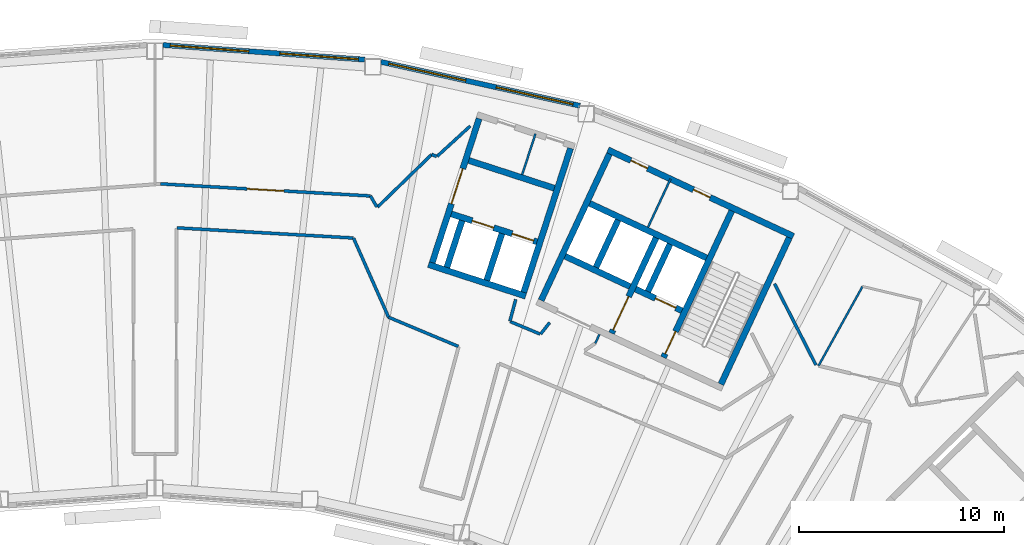
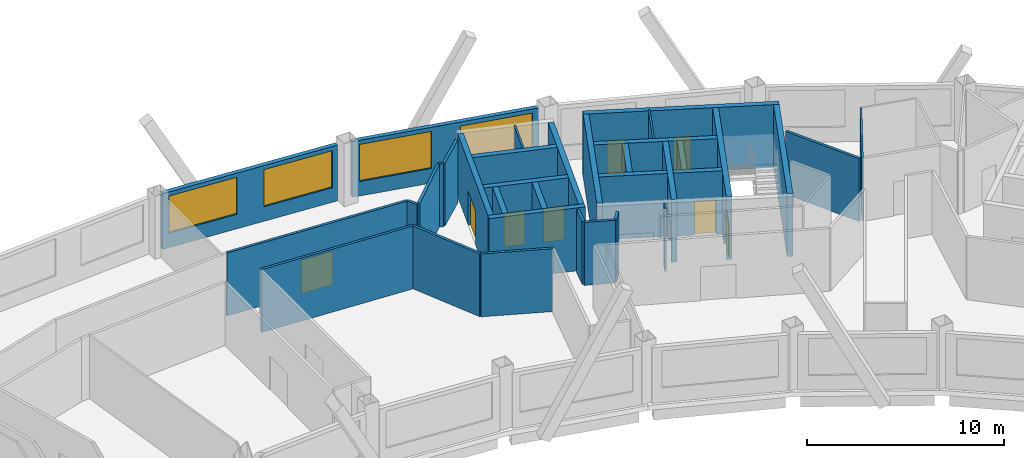
# One storey, part 9 of 13: 35 walls, 9 doors, 4 windows, 13 openings.
"""IFC4 building model written with IfcOpenShell, lengths in metres."""

import ifcopenshell
import ifcopenshell.guid

model = None  # the IFC model being written
_history = None  # IfcOwnerHistory: only IFC2X3 demands one
_inside = {}  # id of a spatial element -> (the spatial element, [elements in it])
_under = {}  # id of a project, library or spatial element -> (it, [spatial elements below it])
_declared = {}  # id of a project -> (the project, [libraries it declares])
_typed = {}  # id of a type object -> (the type object, [elements of that type])
_made_of = {}  # id of a material, layer set ... -> (it, [elements and type objects made of it])


def new_model(schema):
    """Start an empty IFC model of exactly this schema.

    Asked for "IFC4X3", IfcOpenShell would pick the latest addendum, in which some entities
    have other attributes; the version numbers below select the first issue.
    IFC2X3 requires an IfcOwnerHistory on every rooted entity: one is made here for all.
    """
    global model, _history
    if schema == "IFC4X3":
        model = ifcopenshell.file(schema_version=(4, 3, 0, 0))
    else:
        model = ifcopenshell.file(schema=schema)
    _inside.clear()
    _under.clear()
    _declared.clear()
    _typed.clear()
    _made_of.clear()
    _history = None
    if model.schema == "IFC2X3":
        org = make("IfcOrganization", Name="unknown")
        user = make(
            "IfcPersonAndOrganization",
            ThePerson=make("IfcPerson", FamilyName="unknown"),
            TheOrganization=org,
        )
        app = make(
            "IfcApplication",
            ApplicationDeveloper=org,
            Version="unknown",
            ApplicationFullName="unknown",
            ApplicationIdentifier="unknown",
        )
        _history = make(
            "IfcOwnerHistory",
            OwningUser=user,
            OwningApplication=app,
            ChangeAction="ADDED",
            CreationDate=0,
        )
    return model


def make(cls, **values):
    """One entity of the class cls with the attributes given. An attribute that is None is left unset."""
    return model.create_entity(
        cls, **{name: value for name, value in values.items() if value is not None}
    )


def rooted(cls, **values):
    """An entity with a GlobalId (a new one), such as an element, a storey or a relation."""
    return make(cls, GlobalId=ifcopenshell.guid.new(), OwnerHistory=_history, **values)


def si_unit(unit_type, name, prefix=None):
    """IfcSIUnit, for example si_unit("LENGTHUNIT", "METRE", prefix="MILLI")."""
    return make("IfcSIUnit", UnitType=unit_type, Prefix=prefix, Name=name)


def assignment(units):
    """IfcUnitAssignment: the units of a project."""
    return None if units is None else make("IfcUnitAssignment", Units=units)


def point(xyz):
    """IfcCartesianPoint."""
    return None if xyz is None else make("IfcCartesianPoint", Coordinates=xyz)


def direction(xyz):
    """IfcDirection."""
    return None if xyz is None else make("IfcDirection", DirectionRatios=xyz)


def frame(location, z_axis=None, x_axis=None):
    """IfcAxis2Placement3D, a coordinate frame: its origin and axes. An axis left out is left unset."""
    return make(
        "IfcAxis2Placement3D",
        Location=point(location),
        Axis=direction(z_axis),
        RefDirection=direction(x_axis),
    )


def frame_2d(location, x_axis=None):
    """IfcAxis2Placement2D, a coordinate frame in the plane: its origin and x axis."""
    return make(
        "IfcAxis2Placement2D", Location=point(location), RefDirection=direction(x_axis)
    )


def origin():
    """The frame at (0, 0, 0) with its axes left unset."""
    return frame((0.0, 0.0, 0.0))


def place(relative_to, where):
    """IfcLocalPlacement: puts the frame where relative to a parent placement (None: the world)."""
    return make(
        "IfcLocalPlacement", PlacementRelTo=relative_to, RelativePlacement=where
    )


def context(
    kind, dimensions, precision=None, world=None, true_north=None, identifier=None
):
    """IfcGeometricRepresentationContext, for example the 3D "Model" context."""
    return make(
        "IfcGeometricRepresentationContext",
        ContextIdentifier=identifier,
        ContextType=kind,
        CoordinateSpaceDimension=dimensions,
        Precision=precision,
        WorldCoordinateSystem=world,
        TrueNorth=true_north,
    )


def subcontext(parent, identifier, kind, view, scale=None):
    """IfcGeometricRepresentationSubContext, for example "Body" below "Model"."""
    return make(
        "IfcGeometricRepresentationSubContext",
        ContextIdentifier=identifier,
        ContextType=kind,
        ParentContext=parent,
        TargetScale=scale,
        TargetView=view,
    )


def project(units=None, contexts=None):
    """IfcProject with its units and contexts."""
    return rooted(
        "IfcProject",
        Name="project",
        RepresentationContexts=contexts,
        UnitsInContext=assignment(units),
    )


def spatial(cls, under=None, at=None, **own):
    """A site, building, storey or space (cls), placed at a placement, below another one or the project."""
    s = rooted(cls, ObjectPlacement=at, **own)
    if under is not None:
        _under.setdefault(under.id(), (under, []))[1].append(s)
    return s


def profile(cls, at=None, kind="AREA", **sizes):
    """A parametric profile (cls). Its sizes go by their IFC names, for example OverallWidth=200.0."""
    return make(cls, ProfileType=kind, Position=at, **sizes)


def rectangle(**sizes):
    """IfcRectangleProfileDef."""
    return profile("IfcRectangleProfileDef", **sizes)


def extrude(swept, where, along, depth):
    """IfcExtrudedAreaSolid: the profile swept, set in the frame where, extruded along a direction by depth."""
    return make(
        "IfcExtrudedAreaSolid",
        SweptArea=swept,
        Position=where,
        ExtrudedDirection=direction(along),
        Depth=depth,
    )


def shape(context_of_items, identifier, shape_type, items):
    """IfcShapeRepresentation: the items that make up one representation, for example the "Body"."""
    return make(
        "IfcShapeRepresentation",
        ContextOfItems=context_of_items,
        RepresentationIdentifier=identifier,
        RepresentationType=shape_type,
        Items=items,
    )


def material(Name=None, Category=None):
    """IfcMaterial."""
    return make("IfcMaterial", Name=Name, Category=Category)


def layer(
    of_material, thickness, ventilated=None, Name=None, Category=None, Priority=None
):
    """IfcMaterialLayer: one layer of a wall or slab, of a material (None: an air gap)."""
    return make(
        "IfcMaterialLayer",
        Material=of_material,
        LayerThickness=thickness,
        IsVentilated=ventilated,
        Name=Name,
        Category=Category,
        Priority=Priority,
    )


def layer_set(layers, Name=None):
    """IfcMaterialLayerSet."""
    return make("IfcMaterialLayerSet", MaterialLayers=layers, LayerSetName=Name)


def made_of(thing, what):
    """Note that an element or type object is made of a material, layer set ...; save() writes the relation."""
    if what is not None:
        _made_of.setdefault(what.id(), (what, []))[1].append(thing)
    return thing


def type_object(cls, material=None, **own):
    """A type object (cls), such as IfcWallType, which elements share."""
    return made_of(rooted(cls, **own), material)


def element(
    cls,
    number,
    at=None,
    inside=None,
    cuts=None,
    type_object=None,
    material=None,
    context=None,
    identifier="Body",
    shape_type=None,
    held_by="IfcProductDefinitionShape",
    body=None,
    shapes=None,
    **own,
):
    """One element of the class cls, such as IfcWall. Its Tag is "e" and its number.

    at: its placement. inside: the storey or other place that contains it. cuts: it is an
    opening in that element (IfcRelVoidsElement). A single representation is given by context,
    identifier, shape_type and body (its items); several are given by shapes. held_by: the class
    of the entity that holds the representations. save() writes the other relations.
    """
    e = rooted(cls, Tag="e%d" % number, ObjectPlacement=at, **own)
    if body is not None:
        shapes = [shape(context, identifier, shape_type, body)]
    if shapes is not None:
        e.Representation = make(held_by, Representations=shapes)
    if inside is not None:
        _inside.setdefault(inside.id(), (inside, []))[1].append(e)
    if cuts is not None:
        rooted(
            "IfcRelVoidsElement", RelatingBuildingElement=cuts, RelatedOpeningElement=e
        )
    if type_object is not None:
        _typed.setdefault(type_object.id(), (type_object, []))[1].append(e)
    return made_of(e, material)


def fill(opening, filler):
    """IfcRelFillsElement: the door or window that sits in an opening."""
    return rooted(
        "IfcRelFillsElement",
        RelatingOpeningElement=opening,
        RelatedBuildingElement=filler,
    )


def aggregate(whole, parts):
    """IfcRelAggregates: a whole, such as a stair, and the parts it consists of."""
    return rooted("IfcRelAggregates", RelatingObject=whole, RelatedObjects=parts)


def save(model, path):
    """Write the relations noted so far, then the file.

    IfcRelAggregates (storeys below a building ...), IfcRelContainedInSpatialStructure (elements
    in a storey), IfcRelDefinesByType, IfcRelAssociatesMaterial and IfcRelDeclares: one each for
    every whole, place, type object, material and project.
    """
    for whole, parts in _under.values():
        aggregate(whole, parts)
    for where, things in _inside.values():
        rooted(
            "IfcRelContainedInSpatialStructure",
            RelatedElements=things,
            RelatingStructure=where,
        )
    for kind, things in _typed.values():
        rooted("IfcRelDefinesByType", RelatedObjects=things, RelatingType=kind)
    for what, things in _made_of.values():
        rooted("IfcRelAssociatesMaterial", RelatedObjects=things, RelatingMaterial=what)
    for by, libraries in _declared.values():
        rooted("IfcRelDeclares", RelatingContext=by, RelatedDefinitions=libraries)
    model.write(path)


model = new_model("IFC4")

# Units and contexts
model_context = context("Model", 3, precision=1e-05, world=origin(), true_north=direction((0.0, 1.0)))
body_context = subcontext(model_context, "Body", "Model", "MODEL_VIEW")
ifc_project = project(units=[si_unit("LENGTHUNIT", "METRE"), si_unit("AREAUNIT", "SQUARE_METRE"), si_unit("VOLUMEUNIT", "CUBIC_METRE"), si_unit("PLANEANGLEUNIT", "RADIAN"), si_unit("MASSUNIT", "GRAM", prefix="KILO")], contexts=[model_context])

# Site, building, storey
site_placement = place(None, origin())
site = spatial("IfcSite", under=ifc_project, at=site_placement, CompositionType="ELEMENT")
building_placement = place(site_placement, origin())
building = spatial("IfcBuilding", under=site, at=building_placement, Name="Tuul Gate Civic Tower", CompositionType="ELEMENT")
storey_placement = place(building_placement, frame((0.0, 0.0, 302.60009765625)))
storey = spatial("IfcBuildingStorey", under=building, at=storey_placement, Name="Level 68", CompositionType="ELEMENT", Elevation=302.60009765625)

# Wall, opening, door
ifc_material_1 = material(Name="Concrete C50/60", Category="concrete")
ifc_layer_1 = layer(ifc_material_1, 0.300048828125)
ifc_layer_set_1 = layer_set([ifc_layer_1], Name="Concrete C50/60")
wall_type_1 = type_object("IfcWallType", Name="Core wall C50/60", PredefinedType="SHEAR", material=ifc_layer_set_1)
wall_1_placement = place(storey_placement, frame((32.545654296875, -3.456787109375, 0.0), z_axis=(0.0, 0.0, 1.0), x_axis=(-0.906300357825, 0.42263419337, 0.0)))
wall_1 = element("IfcWall", 1, at=wall_1_placement, inside=storey, type_object=wall_type_1, Name="Core wall", PredefinedType="SHEAR", context=body_context, shape_type="SweptSolid", body=[
    extrude(rectangle(XDim=2.500244140625, YDim=0.300048828125, at=frame_2d((1.25, 0.0))), origin(), (0.0, 0.0, 1.0), 3.89990234375),
])
opening_1_placement = place(wall_1_placement, frame((0.324951171875, 0.0, 0.0)))
opening_1 = element("IfcOpeningElement", 2, at=opening_1_placement, cuts=wall_1, Name="Opening LD-FF-2", PredefinedType="OPENING", context=body_context, shape_type="SweptSolid", body=[
    extrude(rectangle(XDim=1.10009765625, YDim=2.10009765625, at=frame_2d((0.550048828125, 1.050048828125))), frame((0.0, 0.16015625, 0.0), z_axis=(0.0, -1.0, 0.0), x_axis=(1.0, 0.0, 0.0)), (0.0, 0.0, 1.0), 0.320068359375),
])
ifc_material_2 = material(Name="Stainless steel", Category="steel")
door_type_1 = type_object("IfcDoorType", Name="Landing door", OperationType="DOUBLE_DOOR_SLIDING", PredefinedType="DOOR", material=ifc_material_2)
door_1_placement = place(opening_1_placement, origin())
door_1 = element("IfcDoor", 3, at=door_1_placement, inside=storey, type_object=door_type_1, Name="Fire-fighting lift FF-2 landing door", OperationType="DOUBLE_DOOR_SLIDING", OverallHeight=2.10009765625, OverallWidth=1.10009765625, PredefinedType="DOOR", context=body_context, shape_type="SweptSolid", body=[
    extrude(rectangle(XDim=1.10009765625, YDim=2.10009765625, at=frame_2d((0.550048828125, 1.050048828125))), frame((0.0, 0.02490234375, 0.0), z_axis=(0.0, -1.0, 0.0), x_axis=(1.0, 0.0, 0.0)), (0.0, 0.0, 1.0), 0.050048828125),
])
fill(opening_1, door_1)

# Walls
wall_2_placement = place(storey_placement, frame((30.0078125, -2.2734375, 0.0), z_axis=(0.0, 0.0, 1.0), x_axis=(-0.90630071767, 0.422633421716, 0.0)))
element("IfcWall", 4, at=wall_2_placement, inside=storey, type_object=wall_type_1, Name="Core wall", PredefinedType="SHEAR", context=body_context, shape_type="SweptSolid", body=[
    extrude(rectangle(XDim=3.5, YDim=0.300048828125, at=frame_2d((1.75, 0.0))), origin(), (0.0, 0.0, 1.0), 3.89990234375),
])
wall_3_placement = place(storey_placement, frame((33.75, -0.873779296875, 0.0), z_axis=(0.0, 0.0, 1.0), x_axis=(-0.906300917592, 0.422632992999, 0.0)))
element("IfcWall", 5, at=wall_3_placement, inside=storey, type_object=wall_type_1, Name="Core wall", PredefinedType="SHEAR", context=body_context, shape_type="SweptSolid", body=[
    extrude(rectangle(XDim=6.300048828125, YDim=0.300048828125, at=frame_2d((3.14990234375, 0.0))), origin(), (0.0, 0.0, 1.0), 3.89990234375),
])

# Wall, openings, doors
wall_4_placement = place(storey_placement, frame((37.993408203125, 0.181884765625, 0.0), z_axis=(0.0, 0.0, 1.0), x_axis=(-0.906310338845, 0.422612789327, 0.0)))
wall_4 = element("IfcWall", 6, at=wall_4_placement, inside=storey, type_object=wall_type_1, Name="Core wall", PredefinedType="SHEAR", context=body_context, shape_type="SweptSolid", body=[
    extrude(rectangle(XDim=9.999755859375, YDim=0.300048828125, at=frame_2d((5.0, 0.0))), origin(), (0.0, 0.0, 1.0), 3.89990234375),
])
opening_2_placement = place(wall_4_placement, frame((4.487548828125, 0.0, 0.0)))
opening_2 = element("IfcOpeningElement", 7, at=opening_2_placement, cuts=wall_4, Name="Opening Y-D19", PredefinedType="OPENING", context=body_context, shape_type="SweptSolid", body=[
    extrude(rectangle(XDim=0.89990234375, YDim=2.10009765625, at=frame_2d((0.449951171875, 1.050048828125))), frame((0.0, 0.16015625, 0.0), z_axis=(0.0, -1.0, 0.0), x_axis=(1.0, 0.0, 0.0)), (0.0, 0.0, 1.0), 0.320068359375),
])
opening_3_placement = place(wall_4_placement, frame((7.862548828125, 0.0, 0.0)))
opening_3 = element("IfcOpeningElement", 8, at=opening_3_placement, cuts=wall_4, Name="Opening Y-D20", PredefinedType="OPENING", context=body_context, shape_type="SweptSolid", body=[
    extrude(rectangle(XDim=0.89990234375, YDim=2.10009765625, at=frame_2d((0.449951171875, 1.050048828125))), frame((0.0, 0.16015625, 0.0), z_axis=(0.0, -1.0, 0.0), x_axis=(1.0, 0.0, 0.0)), (0.0, 0.0, 1.0), 0.320068359375),
])
ifc_material_3 = material(Name="Timber door leaf", Category="wood")
door_type_2 = type_object("IfcDoorType", Name="Door D09", OperationType="NOTDEFINED", PredefinedType="DOOR", material=ifc_material_3)
door_2_placement = place(opening_2_placement, origin())
door_2 = element("IfcDoor", 9, at=door_2_placement, inside=storey, type_object=door_type_2, Name="Door Y-D19", OperationType="SINGLE_SWING_LEFT", OverallHeight=2.10009765625, OverallWidth=0.89990234375, PredefinedType="DOOR", context=body_context, shape_type="SweptSolid", body=[
    extrude(rectangle(XDim=0.89990234375, YDim=2.10009765625, at=frame_2d((0.449951171875, 1.050048828125))), frame((0.0, 0.02490234375, 0.0), z_axis=(0.0, -1.0, 0.0), x_axis=(1.0, 0.0, 0.0)), (0.0, 0.0, 1.0), 0.050048828125),
])
fill(opening_2, door_2)
door_3_placement = place(opening_3_placement, origin())
door_3 = element("IfcDoor", 10, at=door_3_placement, inside=storey, type_object=door_type_2, Name="Door Y-D20", OperationType="SINGLE_SWING_RIGHT", OverallHeight=2.10009765625, OverallWidth=0.89990234375, PredefinedType="DOOR", context=body_context, shape_type="SweptSolid", body=[
    extrude(rectangle(XDim=0.89990234375, YDim=2.10009765625, at=frame_2d((0.449951171875, 1.050048828125))), frame((0.0, 0.02490234375, 0.0), z_axis=(0.0, -1.0, 0.0), x_axis=(1.0, 0.0, 0.0)), (0.0, 0.0, 1.0), 0.050048828125),
])
fill(opening_3, door_3)

# Wall
wall_5_placement = place(storey_placement, frame((34.455810546875, -7.05078125, 0.0), z_axis=(0.0, 0.0, 1.0), x_axis=(0.422570768258, 0.906329932096, 0.0)))
element("IfcWall", 11, at=wall_5_placement, inside=storey, type_object=wall_type_1, Name="Core wall", PredefinedType="SHEAR", context=body_context, shape_type="SweptSolid", body=[
    extrude(rectangle(XDim=7.900146484375, YDim=0.300048828125, at=frame_2d((3.9501953125, 0.0))), origin(), (0.0, 0.0, 1.0), 3.89990234375),
])

# Wall, opening, door
wall_6_placement = place(storey_placement, frame((31.646240234375, -5.740478515625, 0.0), z_axis=(0.0, 0.0, 1.0), x_axis=(0.422582604137, 0.906324413596, 0.0)))
wall_6 = element("IfcWall", 12, at=wall_6_placement, inside=storey, type_object=wall_type_1, Name="Core wall", PredefinedType="SHEAR", context=body_context, shape_type="SweptSolid", body=[
    extrude(rectangle(XDim=7.89990234375, YDim=0.300048828125, at=frame_2d((3.949951171875, 0.0))), origin(), (0.0, 0.0, 1.0), 3.89990234375),
])
opening_4_placement = place(wall_6_placement, frame((0.199951171875, 0.0, 0.0)))
opening_4 = element("IfcOpeningElement", 13, at=opening_4_placement, cuts=wall_6, Name="Opening SD-ST-4", PredefinedType="OPENING", context=body_context, shape_type="SweptSolid", body=[
    extrude(rectangle(XDim=1.199951171875, YDim=2.10009765625, at=frame_2d((0.60009765625, 1.050048828125))), frame((0.0, 0.16015625, 0.0), z_axis=(0.0, -1.0, 0.0), x_axis=(1.0, 0.0, 0.0)), (0.0, 0.0, 1.0), 0.320068359375),
])
ifc_material_4 = material(Name="Steel", Category="steel")
door_type_3 = type_object("IfcDoorType", Name="Stair door", OperationType="NOTDEFINED", PredefinedType="DOOR", material=ifc_material_4)
door_4_placement = place(opening_4_placement, origin())
door_4 = element("IfcDoor", 14, at=door_4_placement, inside=storey, type_object=door_type_3, Name="Stair door ST-4", OperationType="SINGLE_SWING_LEFT", OverallHeight=2.10009765625, OverallWidth=1.199951171875, PredefinedType="DOOR", context=body_context, shape_type="SweptSolid", body=[
    extrude(rectangle(XDim=1.199951171875, YDim=2.10009765625, at=frame_2d((0.60009765625, 1.050048828125))), frame((0.0, 0.02490234375, 0.0), z_axis=(0.0, -1.0, 0.0), x_axis=(1.0, 0.0, 0.0)), (0.0, 0.0, 1.0), 0.050048828125),
])
fill(opening_4, door_4)

# Wall
wall_7_placement = place(storey_placement, frame((30.886962890625, -2.517822265625, 0.0), z_axis=(0.0, 0.0, 1.0), x_axis=(0.422612891016, 0.906310291427, 0.0)))
element("IfcWall", 15, at=wall_7_placement, inside=storey, type_object=wall_type_1, Name="Core wall", PredefinedType="SHEAR", context=body_context, shape_type="SweptSolid", body=[
    extrude(rectangle(XDim=2.550048828125, YDim=0.300048828125, at=frame_2d((1.27490234375, 0.0))), origin(), (0.0, 0.0, 1.0), 3.89990234375),
])

# Wall, opening, door
wall_8_placement = place(storey_placement, frame((29.108642578125, -4.557373046875, 0.0), z_axis=(0.0, 0.0, 1.0), x_axis=(0.422566235356, 0.90633204552, 0.0)))
wall_8 = element("IfcWall", 16, at=wall_8_placement, inside=storey, type_object=wall_type_1, Name="Core wall", PredefinedType="SHEAR", context=body_context, shape_type="SweptSolid", body=[
    extrude(rectangle(XDim=5.150146484375, YDim=0.300048828125, at=frame_2d((2.5751953125, 0.0))), origin(), (0.0, 0.0, 1.0), 3.89990234375),
])
opening_5_placement = place(wall_8_placement, frame((0.175048828125, 0.0, 0.0)))
opening_5 = element("IfcOpeningElement", 17, at=opening_5_placement, cuts=wall_8, Name="Opening LB-E3-FLOBBY-1", PredefinedType="OPENING", context=body_context, shape_type="SweptSolid", body=[
    extrude(rectangle(XDim=1.800048828125, YDim=2.10009765625, at=frame_2d((0.89990234375, 1.050048828125))), frame((0.0, 0.16015625, 0.0), z_axis=(0.0, -1.0, 0.0), x_axis=(1.0, 0.0, 0.0)), (0.0, 0.0, 1.0), 0.320068359375),
])
ifc_material_5 = material(Name="Steel", Category="steel")
door_type_4 = type_object("IfcDoorType", Name="Lobby door", OperationType="DOUBLE_DOOR_SINGLE_SWING", PredefinedType="DOOR", material=ifc_material_5)
door_5_placement = place(opening_5_placement, frame((1.800048828125, 0.0, 0.0), z_axis=(0.0, 0.0, 1.0), x_axis=(-1.0, 0.0, 0.0)))
door_5 = element("IfcDoor", 18, at=door_5_placement, inside=storey, type_object=door_type_4, Name="Lobby door E3-FLOBBY", OperationType="DOUBLE_DOOR_SINGLE_SWING", OverallHeight=2.10009765625, OverallWidth=1.800048828125, PredefinedType="DOOR", context=body_context, shape_type="SweptSolid", body=[
    extrude(rectangle(XDim=1.800048828125, YDim=2.10009765625, at=frame_2d((0.900146484375, 1.050048828125))), frame((0.0, 0.02490234375, 0.0), z_axis=(0.0, -1.0, 0.0), x_axis=(1.0, 0.0, 0.0)), (0.0, 0.0, 1.0), 0.050048828125),
])
fill(opening_5, door_5)

# Walls
wall_9_placement = place(storey_placement, frame((28.349365234375, -1.33447265625, 0.0), z_axis=(0.0, 0.0, 1.0), x_axis=(0.422612891016, 0.906310291427, 0.0)))
element("IfcWall", 19, at=wall_9_placement, inside=storey, type_object=wall_type_1, Name="Core wall", PredefinedType="SHEAR", context=body_context, shape_type="SweptSolid", body=[
    extrude(rectangle(XDim=2.550048828125, YDim=0.300048828125, at=frame_2d((1.27490234375, 0.0))), origin(), (0.0, 0.0, 1.0), 3.89990234375),
])
wall_10_placement = place(storey_placement, frame((25.66455078125, -2.951416015625, 0.0), z_axis=(0.0, 0.0, 1.0), x_axis=(0.422582604137, 0.906324413596, 0.0)))
element("IfcWall", 20, at=wall_10_placement, inside=storey, type_object=wall_type_1, Name="Core wall", PredefinedType="SHEAR", context=body_context, shape_type="SweptSolid", body=[
    extrude(rectangle(XDim=7.89990234375, YDim=0.300048828125, at=frame_2d((3.949951171875, 0.0))), origin(), (0.0, 0.0, 1.0), 3.89990234375),
])
ifc_material_6 = material(Name="Gypsum board partition")
ifc_layer_2 = layer(ifc_material_6, 0.14990234375)
ifc_layer_set_2 = layer_set([ifc_layer_2], Name="Gypsum board partition")
wall_type_2 = type_object("IfcWallType", Name="Corridor wall P150", PredefinedType="PARTITIONING", material=ifc_layer_set_2)
wall_11_placement = place(storey_placement, frame((37.075439453125, -2.14208984375, 0.0), z_axis=(0.0, 0.0, 1.0), x_axis=(0.453959474971, -0.891022331417, 0.0)))
element("IfcWall", 21, at=wall_11_placement, inside=storey, type_object=wall_type_2, Name="p022", PredefinedType="PARTITIONING", context=body_context, shape_type="SweptSolid", body=[
    extrude(rectangle(XDim=4.4501953125, YDim=0.14990234375, at=frame_2d((2.22509765625, 0.0))), origin(), (0.0, 0.0, 1.0), 3.89990234375),
])
wall_12_placement = place(storey_placement, frame((25.64404296875, -4.59423828125, 0.0), z_axis=(0.0, 0.0, 1.0), x_axis=(0.619199282054, 0.785233881785, 0.0)))
element("IfcWall", 22, at=wall_12_placement, inside=storey, type_object=wall_type_2, Name="p023", PredefinedType="PARTITIONING", context=body_context, shape_type="SweptSolid", body=[
    extrude(rectangle(XDim=0.711669921875, YDim=0.14990234375, at=frame_2d((0.35595703125, 0.0))), origin(), (0.0, 0.0, 1.0), 3.89990234375),
])
wall_13_placement = place(storey_placement, frame((24.15283203125, -3.986572265625, 0.0), z_axis=(0.0, 0.0, 1.0), x_axis=(0.922499435941, -0.385998433532, 0.0)))
element("IfcWall", 23, at=wall_13_placement, inside=storey, type_object=wall_type_2, Name="p024", PredefinedType="PARTITIONING", context=body_context, shape_type="SweptSolid", body=[
    extrude(rectangle(XDim=1.59130859375, YDim=0.14990234375, at=frame_2d((0.795654296875, 0.0))), origin(), (0.0, 0.0, 1.0), 3.89990234375),
])
wall_14_placement = place(storey_placement, frame((24.140625, -3.963623046875, 0.0), z_axis=(0.0, 0.0, 1.0), x_axis=(0.258050314511, 0.966131479241, 0.0)))
element("IfcWall", 24, at=wall_14_placement, inside=storey, type_object=wall_type_2, Name="p027", PredefinedType="PARTITIONING", context=body_context, shape_type="SweptSolid", body=[
    extrude(rectangle(XDim=1.097412109375, YDim=0.14990234375, at=frame_2d((0.548828125, 0.0))), origin(), (0.0, 0.0, 1.0), 3.89990234375),
])
wall_15_placement = place(storey_placement, frame((20.5771484375, 4.085205078125, 0.0), z_axis=(0.0, 0.0, 1.0), x_axis=(0.738095276919, 0.674696496352, 0.0)))
element("IfcWall", 25, at=wall_15_placement, inside=storey, type_object=wall_type_2, Name="p028", PredefinedType="PARTITIONING", context=body_context, shape_type="SweptSolid", body=[
    extrude(rectangle(XDim=2.195068359375, YDim=0.14990234375, at=frame_2d((1.09765625, 0.0))), origin(), (0.0, 0.0, 1.0), 3.89990234375),
])
wall_16_placement = place(storey_placement, frame((20.3173828125, 4.1796875, 0.0), z_axis=(0.0, 0.0, 1.0), x_axis=(0.928476690885, -0.371390676354, 0.0)))
element("IfcWall", 26, at=wall_16_placement, inside=storey, type_object=wall_type_2, Name="p029", PredefinedType="PARTITIONING", context=body_context, shape_type="SweptSolid", body=[
    extrude(rectangle(XDim=0.26025390625, YDim=0.14990234375, at=frame_2d((0.130126953125, 0.0))), origin(), (0.0, 0.0, 1.0), 3.89990234375),
])
wall_17_placement = place(storey_placement, frame((17.670166015625, 1.610595703125, 0.0), z_axis=(0.0, 0.0, 1.0), x_axis=(0.717616685687, 0.696438290463, 0.0)))
element("IfcWall", 27, at=wall_17_placement, inside=storey, type_object=wall_type_2, Name="p030", PredefinedType="PARTITIONING", context=body_context, shape_type="SweptSolid", body=[
    extrude(rectangle(XDim=3.68896484375, YDim=0.14990234375, at=frame_2d((1.844482421875, 0.0))), origin(), (0.0, 0.0, 1.0), 3.89990234375),
])
wall_18_placement = place(storey_placement, frame((17.321533203125, 2.152587890625, 0.0), z_axis=(0.0, 0.0, 1.0), x_axis=(0.507806382702, -0.861471228589, 0.0)))
element("IfcWall", 28, at=wall_18_placement, inside=storey, type_object=wall_type_2, Name="p031", PredefinedType="PARTITIONING", context=body_context, shape_type="SweptSolid", body=[
    extrude(rectangle(XDim=0.6240234375, YDim=0.14990234375, at=frame_2d((0.31201171875, 0.0))), origin(), (0.0, 0.0, 1.0), 3.89990234375),
])

# Wall, opening, door
wall_19_placement = place(storey_placement, frame((7.068115234375, 2.7431640625, 0.0), z_axis=(0.0, 0.0, 1.0), x_axis=(0.998345352169, -0.057502676482, 0.0)))
wall_19 = element("IfcWall", 29, at=wall_19_placement, inside=storey, type_object=wall_type_2, Name="p032", PredefinedType="PARTITIONING", context=body_context, shape_type="SweptSolid", body=[
    extrude(rectangle(XDim=10.2705078125, YDim=0.14990234375, at=frame_2d((5.13525390625, 0.0))), origin(), (0.0, 0.0, 1.0), 3.89990234375),
])
opening_6_placement = place(wall_19_placement, frame((4.235107421875, 0.0, 0.0)))
opening_6 = element("IfcOpeningElement", 30, at=opening_6_placement, cuts=wall_19, Name="Opening Y-D04", PredefinedType="OPENING", context=body_context, shape_type="SweptSolid", body=[
    extrude(rectangle(XDim=1.800048828125, YDim=2.10009765625, at=frame_2d((0.89990234375, 1.050048828125))), frame((0.0, 0.0849609375, 0.0), z_axis=(0.0, -1.0, 0.0), x_axis=(1.0, 0.0, 0.0)), (0.0, 0.0, 1.0), 0.169921875),
])
ifc_material_7 = material(Name="Timber door leaf, double", Category="wood")
door_type_5 = type_object("IfcDoorType", Name="Door D18", OperationType="DOUBLE_DOOR_SINGLE_SWING", PredefinedType="DOOR", material=ifc_material_7)
door_6_placement = place(opening_6_placement, origin())
door_6 = element("IfcDoor", 31, at=door_6_placement, inside=storey, type_object=door_type_5, Name="Door Y-D04", OperationType="DOUBLE_DOOR_SINGLE_SWING", OverallHeight=2.10009765625, OverallWidth=1.800048828125, PredefinedType="DOOR", context=body_context, shape_type="SweptSolid", body=[
    extrude(rectangle(XDim=1.800048828125, YDim=2.10009765625, at=frame_2d((0.89990234375, 1.050048828125))), frame((0.0, 0.02490234375, 0.0), z_axis=(0.0, -1.0, 0.0), x_axis=(1.0, 0.0, 0.0)), (0.0, 0.0, 1.0), 0.050048828125),
])
fill(opening_6, door_6)

# Walls
wall_20_placement = place(storey_placement, frame((18.20849609375, -3.77490234375, 0.0), z_axis=(0.0, 0.0, 1.0), x_axis=(0.922448104273, -0.386121088421, 0.0)))
element("IfcWall", 32, at=wall_20_placement, inside=storey, type_object=wall_type_2, Name="p053", PredefinedType="PARTITIONING", context=body_context, shape_type="SweptSolid", body=[
    extrude(rectangle(XDim=3.694580078125, YDim=0.14990234375, at=frame_2d((1.84716796875, 0.0))), origin(), (0.0, 0.0, 1.0), 3.89990234375),
])
wall_21_placement = place(storey_placement, frame((7.85986328125, 0.593994140625, 0.0), z_axis=(0.0, 0.0, 1.0), x_axis=(0.998344815666, -0.057511990344, 0.0)))
element("IfcWall", 33, at=wall_21_placement, inside=storey, type_object=wall_type_2, Name="p062", PredefinedType="PARTITIONING", context=body_context, shape_type="SweptSolid", body=[
    extrude(rectangle(XDim=8.634521484375, YDim=0.14990234375, at=frame_2d((4.3173828125, 0.0))), origin(), (0.0, 0.0, 1.0), 3.89990234375),
])
wall_22_placement = place(storey_placement, frame((16.497802734375, 0.085205078125, 0.0), z_axis=(0.0, 0.0, 1.0), x_axis=(0.405167164642, -0.914242620258, 0.0)))
element("IfcWall", 34, at=wall_22_placement, inside=storey, type_object=wall_type_2, Name="p063", PredefinedType="PARTITIONING", context=body_context, shape_type="SweptSolid", body=[
    extrude(rectangle(XDim=4.22216796875, YDim=0.14990234375, at=frame_2d((2.111083984375, 0.0))), origin(), (0.0, 0.0, 1.0), 3.89990234375),
])

# Wall, openings, windows
ifc_material_8 = material(Name="Precast concrete C40/50", Category="concrete")
ifc_layer_3 = layer(ifc_material_8, 0.25)
ifc_layer_set_3 = layer_set([ifc_layer_3], Name="Precast concrete C40/50")
wall_type_3 = type_object("IfcWallType", Name="External wall", PredefinedType="STANDARD", material=ifc_layer_set_3)
wall_23_placement = place(storey_placement, frame((27.56201171875, 6.56201171875, 0.0), z_axis=(0.0, 0.0, 1.0), x_axis=(-0.976565167079, 0.215221919071, 0.0)))
wall_23 = element("IfcWall", 35, at=wall_23_placement, inside=storey, type_object=wall_type_3, Name="External wall", PredefinedType="STANDARD", context=body_context, shape_type="SweptSolid", body=[
    extrude(rectangle(XDim=9.95751953125, YDim=0.25, at=frame_2d((4.978759765625, 0.0))), origin(), (0.0, 0.0, 1.0), 3.449951171875),
])
opening_7_placement = place(wall_23_placement, frame((0.3466796875, 0.0, 0.89990234375)))
opening_7 = element("IfcOpeningElement", 36, at=opening_7_placement, cuts=wall_23, Name="Opening W22", PredefinedType="OPENING", context=body_context, shape_type="SweptSolid", body=[
    extrude(rectangle(XDim=3.85009765625, YDim=2.300048828125, at=frame_2d((1.925048828125, 1.14990234375))), frame((0.0, 0.135009765625, 0.0), z_axis=(0.0, -1.0, 0.0), x_axis=(1.0, 0.0, 0.0)), (0.0, 0.0, 1.0), 0.27001953125),
])
opening_8_placement = place(wall_23_placement, frame((5.717529296875, 0.0, 0.89990234375)))
opening_8 = element("IfcOpeningElement", 37, at=opening_8_placement, cuts=wall_23, Name="Opening W22", PredefinedType="OPENING", context=body_context, shape_type="SweptSolid", body=[
    extrude(rectangle(XDim=3.85009765625, YDim=2.300048828125, at=frame_2d((1.925048828125, 1.14990234375))), frame((0.0, 0.135009765625, 0.0), z_axis=(0.0, -1.0, 0.0), x_axis=(1.0, 0.0, 0.0)), (0.0, 0.0, 1.0), 0.27001953125),
])
ifc_material_9 = material(Name="Glass", Category="glass")
window_type = type_object("IfcWindowType", Name="Window W22 3850 x 2300", PartitioningType="SINGLE_PANEL", PredefinedType="WINDOW", material=ifc_material_9)
window_1_placement = place(opening_7_placement, origin())
window_1 = element("IfcWindow", 38, at=window_1_placement, inside=storey, type_object=window_type, Name="Window", OverallHeight=2.300048828125, OverallWidth=3.85009765625, PartitioningType="SINGLE_PANEL", PredefinedType="WINDOW", context=body_context, shape_type="SweptSolid", body=[
    extrude(rectangle(XDim=3.85009765625, YDim=2.300048828125, at=frame_2d((1.925048828125, 1.14990234375))), frame((0.0, 0.030029296875, 0.0), z_axis=(0.0, -1.0, 0.0), x_axis=(1.0, 0.0, 0.0)), (0.0, 0.0, 1.0), 0.06005859375),
])
fill(opening_7, window_1)
window_2_placement = place(opening_8_placement, origin())
window_2 = element("IfcWindow", 39, at=window_2_placement, inside=storey, type_object=window_type, Name="Window", OverallHeight=2.300048828125, OverallWidth=3.85009765625, PartitioningType="SINGLE_PANEL", PredefinedType="WINDOW", context=body_context, shape_type="SweptSolid", body=[
    extrude(rectangle(XDim=3.85009765625, YDim=2.300048828125, at=frame_2d((1.925048828125, 1.14990234375))), frame((0.0, 0.030029296875, 0.0), z_axis=(0.0, -1.0, 0.0), x_axis=(1.0, 0.0, 0.0)), (0.0, 0.0, 1.0), 0.06005859375),
])
fill(opening_8, window_2)

wall_24_placement = place(storey_placement, frame((17.0380859375, 8.8154296875, 0.0), z_axis=(0.0, 0.0, 1.0), x_axis=(-0.997387687721, 0.072234343517, 0.0)))
wall_24 = element("IfcWall", 40, at=wall_24_placement, inside=storey, type_object=wall_type_3, Name="External wall", PredefinedType="STANDARD", context=body_context, shape_type="SweptSolid", body=[
    extrude(rectangle(XDim=9.8759765625, YDim=0.25, at=frame_2d((4.93798828125, 0.0))), origin(), (0.0, 0.0, 1.0), 3.449951171875),
])
opening_9_placement = place(wall_24_placement, frame((0.3037109375, 0.0, 0.89990234375)))
opening_9 = element("IfcOpeningElement", 41, at=opening_9_placement, cuts=wall_24, Name="Opening W22", PredefinedType="OPENING", context=body_context, shape_type="SweptSolid", body=[
    extrude(rectangle(XDim=3.85009765625, YDim=2.300048828125, at=frame_2d((1.925048828125, 1.14990234375))), frame((0.0, 0.135009765625, 0.0), z_axis=(0.0, -1.0, 0.0), x_axis=(1.0, 0.0, 0.0)), (0.0, 0.0, 1.0), 0.27001953125),
])
opening_10_placement = place(wall_24_placement, frame((5.675048828125, 0.0, 0.89990234375)))
opening_10 = element("IfcOpeningElement", 42, at=opening_10_placement, cuts=wall_24, Name="Opening W22", PredefinedType="OPENING", context=body_context, shape_type="SweptSolid", body=[
    extrude(rectangle(XDim=3.85009765625, YDim=2.300048828125, at=frame_2d((1.925048828125, 1.14990234375))), frame((0.0, 0.135009765625, 0.0), z_axis=(0.0, -1.0, 0.0), x_axis=(1.0, 0.0, 0.0)), (0.0, 0.0, 1.0), 0.27001953125),
])
window_3_placement = place(opening_9_placement, origin())
window_3 = element("IfcWindow", 43, at=window_3_placement, inside=storey, type_object=window_type, Name="Window", OverallHeight=2.300048828125, OverallWidth=3.85009765625, PartitioningType="SINGLE_PANEL", PredefinedType="WINDOW", context=body_context, shape_type="SweptSolid", body=[
    extrude(rectangle(XDim=3.85009765625, YDim=2.300048828125, at=frame_2d((1.925048828125, 1.14990234375))), frame((0.0, 0.030029296875, 0.0), z_axis=(0.0, -1.0, 0.0), x_axis=(1.0, 0.0, 0.0)), (0.0, 0.0, 1.0), 0.06005859375),
])
fill(opening_9, window_3)
window_4_placement = place(opening_10_placement, origin())
window_4 = element("IfcWindow", 44, at=window_4_placement, inside=storey, type_object=window_type, Name="Window", OverallHeight=2.300048828125, OverallWidth=3.85009765625, PartitioningType="SINGLE_PANEL", PredefinedType="WINDOW", context=body_context, shape_type="SweptSolid", body=[
    extrude(rectangle(XDim=3.85009765625, YDim=2.300048828125, at=frame_2d((1.925048828125, 1.14990234375))), frame((0.0, 0.030029296875, 0.0), z_axis=(0.0, -1.0, 0.0), x_axis=(1.0, 0.0, 0.0)), (0.0, 0.0, 1.0), 0.06005859375),
])
fill(opening_10, window_4)

# Wall
ifc_material_10 = material(Name="Concrete C40/50", Category="concrete")
ifc_layer_4 = layer(ifc_material_10, 0.300048828125)
ifc_layer_set_4 = layer_set([ifc_layer_4], Name="Concrete C40/50")
wall_type_4 = type_object("IfcWallType", Name="Lift shaft wall C40/50", PredefinedType="STANDARD", material=ifc_layer_set_4)
wall_25_placement = place(storey_placement, frame((24.911376953125, -2.746337890625, 0.0), z_axis=(0.0, 0.0, 1.0), x_axis=(-0.951067792613, 0.308982287281, 0.0)))
element("IfcWall", 45, at=wall_25_placement, inside=storey, type_object=wall_type_4, Name="Shaft wall", PredefinedType="STANDARD", context=body_context, shape_type="SweptSolid", body=[
    extrude(rectangle(XDim=5.0, YDim=0.300048828125, at=frame_2d((2.5, 0.0))), origin(), (0.0, 0.0, 1.0), 3.89990234375),
])

# Wall, openings, doors
wall_26_placement = place(storey_placement, frame((25.460693359375, -0.0859375, 0.0), z_axis=(0.0, 0.0, 1.0), x_axis=(-0.951063829732, 0.308994485023, 0.0)))
wall_26 = element("IfcWall", 46, at=wall_26_placement, inside=storey, type_object=wall_type_4, Name="Shaft wall", PredefinedType="STANDARD", context=body_context, shape_type="SweptSolid", body=[
    extrude(rectangle(XDim=4.400146484375, YDim=0.300048828125, at=frame_2d((2.2001953125, 0.0))), origin(), (0.0, 0.0, 1.0), 3.89990234375),
])
opening_11_placement = place(wall_26_placement, frame((0.175048828125, 0.0, 0.0)))
opening_11 = element("IfcOpeningElement", 47, at=opening_11_placement, cuts=wall_26, Name="Opening LD-H2", PredefinedType="OPENING", context=body_context, shape_type="SweptSolid", body=[
    extrude(rectangle(XDim=1.10009765625, YDim=2.10009765625, at=frame_2d((0.550048828125, 1.050048828125))), frame((0.0, 0.16015625, 0.0), z_axis=(0.0, -1.0, 0.0), x_axis=(1.0, 0.0, 0.0)), (0.0, 0.0, 1.0), 0.320068359375),
])
opening_12_placement = place(wall_26_placement, frame((2.22509765625, 0.0, 0.0)))
opening_12 = element("IfcOpeningElement", 48, at=opening_12_placement, cuts=wall_26, Name="Opening LD-H3", PredefinedType="OPENING", context=body_context, shape_type="SweptSolid", body=[
    extrude(rectangle(XDim=1.10009765625, YDim=2.10009765625, at=frame_2d((0.550048828125, 1.050048828125))), frame((0.0, 0.16015625, 0.0), z_axis=(0.0, -1.0, 0.0), x_axis=(1.0, 0.0, 0.0)), (0.0, 0.0, 1.0), 0.320068359375),
])
door_7_placement = place(opening_11_placement, origin())
door_7 = element("IfcDoor", 49, at=door_7_placement, inside=storey, type_object=door_type_1, Name="High-rise lift H2 landing door", OperationType="DOUBLE_DOOR_SLIDING", OverallHeight=2.10009765625, OverallWidth=1.10009765625, PredefinedType="DOOR", context=body_context, shape_type="SweptSolid", body=[
    extrude(rectangle(XDim=1.10009765625, YDim=2.10009765625, at=frame_2d((0.550048828125, 1.050048828125))), frame((0.0, 0.02490234375, 0.0), z_axis=(0.0, -1.0, 0.0), x_axis=(1.0, 0.0, 0.0)), (0.0, 0.0, 1.0), 0.050048828125),
])
fill(opening_11, door_7)
door_8_placement = place(opening_12_placement, origin())
door_8 = element("IfcDoor", 50, at=door_8_placement, inside=storey, type_object=door_type_1, Name="High-rise lift H3 landing door", OperationType="DOUBLE_DOOR_SLIDING", OverallHeight=2.10009765625, OverallWidth=1.10009765625, PredefinedType="DOOR", context=body_context, shape_type="SweptSolid", body=[
    extrude(rectangle(XDim=1.10009765625, YDim=2.10009765625, at=frame_2d((0.550048828125, 1.050048828125))), frame((0.0, 0.02490234375, 0.0), z_axis=(0.0, -1.0, 0.0), x_axis=(1.0, 0.0, 0.0)), (0.0, 0.0, 1.0), 0.050048828125),
])
fill(opening_12, door_8)

# Walls
wall_27_placement = place(storey_placement, frame((26.310546875, 2.529541015625, 0.0), z_axis=(0.0, 0.0, 1.0), x_axis=(-0.951058531764, 0.30901079133, 0.0)))
element("IfcWall", 51, at=wall_27_placement, inside=storey, type_object=wall_type_4, Name="Shaft wall", PredefinedType="STANDARD", context=body_context, shape_type="SweptSolid", body=[
    extrude(rectangle(XDim=4.39990234375, YDim=0.300048828125, at=frame_2d((2.199951171875, 0.0))), origin(), (0.0, 0.0, 1.0), 3.89990234375),
])
wall_28_placement = place(storey_placement, frame((24.815185546875, -2.557373046875, 0.0), z_axis=(0.0, 0.0, 1.0), x_axis=(0.30907264409, 0.951038432807, 0.0)))
element("IfcWall", 52, at=wall_28_placement, inside=storey, type_object=wall_type_4, Name="Shaft wall", PredefinedType="STANDARD", context=body_context, shape_type="SweptSolid", body=[
    extrude(rectangle(XDim=7.39990234375, YDim=0.300048828125, at=frame_2d((3.699951171875, 0.0))), origin(), (0.0, 0.0, 1.0), 3.89990234375),
])
for number, where, z_axis, x_axis, name in (
    (53, (23.008056640625, -1.97021484375, 0.0), (0.0, 0.0, 1.0), (0.309138975195, 0.951016873675, 0.0), "Shaft wall"),
    (54, (21.058349609375, -1.336669921875, 0.0), (0.0, 0.0, 1.0), (0.309138975195, 0.951016873675, 0.0), "Shaft wall"),
):
    element("IfcWall", number, at=place(storey_placement, frame(where, z_axis=z_axis, x_axis=x_axis)), inside=storey, type_object=wall_type_4, Name=name, PredefinedType="STANDARD", context=body_context, shape_type="SweptSolid", body=[
        extrude(rectangle(XDim=2.400146484375, YDim=0.300048828125, at=frame_2d((1.2001953125, 0.0))), origin(), (0.0, 0.0, 1.0), 3.89990234375),
    ])

# Wall, opening, door
wall_29_placement = place(storey_placement, frame((20.34521484375, -1.10498046875, 0.0), z_axis=(0.0, 0.0, 1.0), x_axis=(0.30907264409, 0.951038432807, 0.0)))
wall_29 = element("IfcWall", 55, at=wall_29_placement, inside=storey, type_object=wall_type_4, Name="Shaft wall", PredefinedType="STANDARD", context=body_context, shape_type="SweptSolid", body=[
    extrude(rectangle(XDim=7.39990234375, YDim=0.300048828125, at=frame_2d((3.699951171875, 0.0))), origin(), (0.0, 0.0, 1.0), 3.89990234375),
])
opening_13_placement = place(wall_29_placement, frame((3.02490234375, 0.0, 0.0)))
opening_13 = element("IfcOpeningElement", 56, at=opening_13_placement, cuts=wall_29, Name="Opening LB-E4-LOBBY-1", PredefinedType="OPENING", context=body_context, shape_type="SweptSolid", body=[
    extrude(rectangle(XDim=1.800048828125, YDim=2.10009765625, at=frame_2d((0.89990234375, 1.050048828125))), frame((0.0, 0.16015625, 0.0), z_axis=(0.0, -1.0, 0.0), x_axis=(1.0, 0.0, 0.0)), (0.0, 0.0, 1.0), 0.320068359375),
])
door_9_placement = place(opening_13_placement, frame((1.800048828125, 0.0, 0.0), z_axis=(0.0, 0.0, 1.0), x_axis=(-1.0, 0.0, 0.0)))
door_9 = element("IfcDoor", 57, at=door_9_placement, inside=storey, type_object=door_type_4, Name="Lobby door E4-LOBBY", OperationType="DOUBLE_DOOR_SINGLE_SWING", OverallHeight=2.10009765625, OverallWidth=1.800048828125, PredefinedType="DOOR", context=body_context, shape_type="SweptSolid", body=[
    extrude(rectangle(XDim=1.800048828125, YDim=2.10009765625, at=frame_2d((0.900146484375, 1.050048828125))), frame((0.0, 0.02490234375, 0.0), z_axis=(0.0, -1.0, 0.0), x_axis=(1.0, 0.0, 0.0)), (0.0, 0.0, 1.0), 0.050048828125),
])
fill(opening_13, door_9)

# Walls
ifc_material_11 = material(Name="Gypsum board partition")
ifc_layer_5 = layer(ifc_material_11, 0.10009765625)
ifc_layer_set_5 = layer_set([ifc_layer_5], Name="Gypsum board partition")
wall_type_5 = type_object("IfcWallType", Name="Partition P100", PredefinedType="PARTITIONING", material=ifc_layer_set_5)
wall_30_placement = place(storey_placement, frame((39.226806640625, -6.146240234375, 0.0), z_axis=(0.0, 0.0, 1.0), x_axis=(0.484819530944, 0.874614213476, 0.0)))
element("IfcWall", 58, at=wall_30_placement, inside=storey, type_object=wall_type_5, Name="p014", PredefinedType="PARTITIONING", context=body_context, shape_type="SweptSolid", body=[
    extrude(rectangle(XDim=4.431884765625, YDim=0.10009765625, at=frame_2d((2.2158203125, 0.0))), origin(), (0.0, 0.0, 1.0), 3.89990234375),
])
wall_31_placement = place(storey_placement, frame((28.31201171875, -5.05078125, 0.0), z_axis=(0.0, 0.0, 1.0), x_axis=(0.422415726181, 0.906402203371, 0.0)))
element("IfcWall", 59, at=wall_31_placement, inside=storey, type_object=wall_type_5, Name="p102", PredefinedType="PARTITIONING", context=body_context, shape_type="SweptSolid", body=[
    extrude(rectangle(XDim=0.483642578125, YDim=0.10009765625, at=frame_2d((0.24169921875, 0.0))), origin(), (0.0, 0.0, 1.0), 3.89990234375),
])
wall_32_placement = place(storey_placement, frame((30.890380859375, 0.625, 0.0), z_axis=(0.0, 0.0, 1.0), x_axis=(0.422597606916, 0.906317418253, 0.0)))
element("IfcWall", 60, at=wall_32_placement, inside=storey, type_object=wall_type_5, Name="bE3-BAND-0", PredefinedType="PARTITIONING", context=body_context, shape_type="SweptSolid", body=[
    extrude(rectangle(XDim=2.600341796875, YDim=0.10009765625, at=frame_2d((1.30029296875, 0.0))), origin(), (0.0, 0.0, 1.0), 3.89990234375),
])
wall_33_placement = place(storey_placement, frame((24.740234375, 3.197509765625, 0.0), z_axis=(0.0, 0.0, 1.0), x_axis=(0.309138649025, 0.951016979701, 0.0)))
element("IfcWall", 61, at=wall_33_placement, inside=storey, type_object=wall_type_5, Name="bE4-BAND-0", PredefinedType="PARTITIONING", context=body_context, shape_type="SweptSolid", body=[
    extrude(rectangle(XDim=2.099853515625, YDim=0.10009765625, at=frame_2d((1.0498046875, 0.0))), origin(), (0.0, 0.0, 1.0), 3.89990234375),
])

save(model, "model.ifc")
